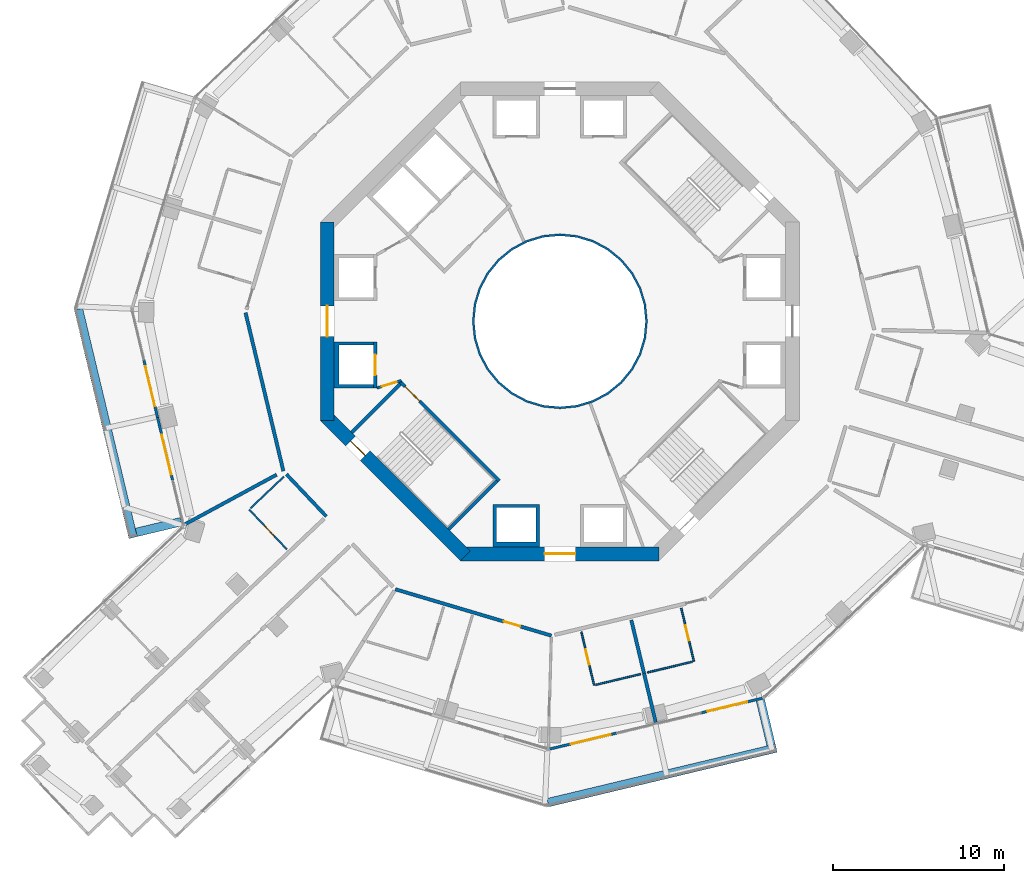
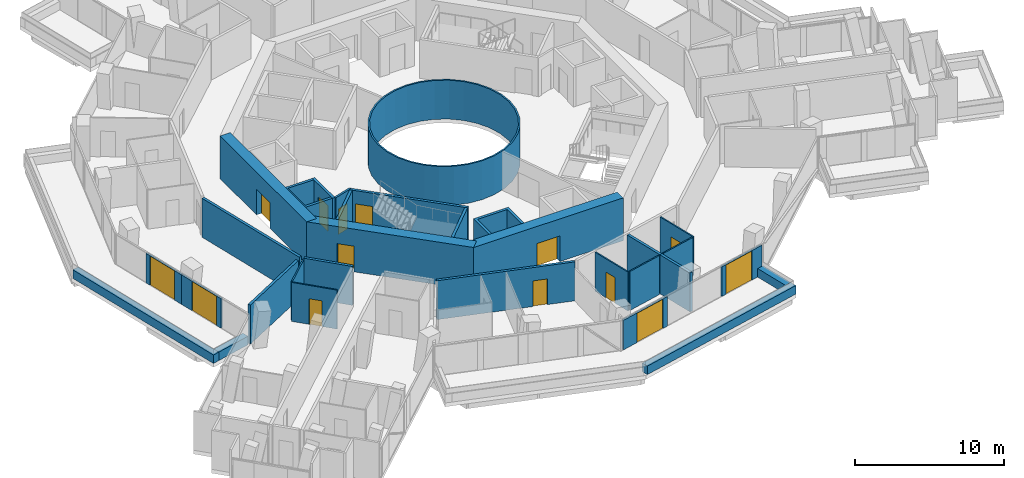
# One storey, part 19 of 27: 31 walls, 14 doors, 14 openings.
"""IFC4 building model written with IfcOpenShell, lengths in metres."""

from ifc_helpers import new_model, si_unit, direction, frame, frame_2d, origin, place, context, subcontext, project, spatial, polyline, rectangle, outline, extrude, material, layer, layer_set, type_object, element, fill, save


model = new_model("IFC4")

# Units and contexts
model_context = context("Model", 3, precision=1e-05, world=origin(), true_north=direction((0.0, 1.0)))
body_context = subcontext(model_context, "Body", "Model", "MODEL_VIEW")
ifc_project = project(units=[si_unit("LENGTHUNIT", "METRE"), si_unit("AREAUNIT", "SQUARE_METRE"), si_unit("VOLUMEUNIT", "CUBIC_METRE"), si_unit("PLANEANGLEUNIT", "RADIAN"), si_unit("MASSUNIT", "GRAM", prefix="KILO")], contexts=[model_context])

# Site, building, storey
site_placement = place(None, origin())
site = spatial("IfcSite", under=ifc_project, at=site_placement, CompositionType="ELEMENT")
building_placement = place(site_placement, origin())
building = spatial("IfcBuilding", under=site, at=building_placement, Name="Verdalira Terraces Hotel", CompositionType="ELEMENT")
storey_placement = place(building_placement, frame((0.0, 0.0, 89.5)))
storey = spatial("IfcBuildingStorey", under=building, at=storey_placement, Name="L20", CompositionType="ELEMENT", Elevation=89.5)

# Walls
ifc_material_1 = material(Name="Fire-resisting glass EI 180", Category="glass")
ifc_layer_1 = layer(ifc_material_1, 0.1201171875)
ifc_layer_set_1 = layer_set([ifc_layer_1], Name="Atrium fire screen 120 mm")
wall_type_1 = type_object("IfcWallType", Name="Atrium fire screen 120 mm", PredefinedType="SOLIDWALL", material=ifc_layer_set_1)
wall_1_placement = place(storey_placement, origin())
element("IfcWall", 1, at=wall_1_placement, inside=storey, type_object=wall_type_1, Name="Atrium fire screen", PredefinedType="SOLIDWALL", context=body_context, shape_type="SweptSolid", body=[
    extrude(outline(polyline([(5.021484, -0.998779), (4.730225, -1.959229), (4.25708, -2.844482), (3.620361, -3.620361), (2.844482, -4.25708), (1.959229, -4.730225), (0.998779, -5.021484), (0.0, -5.120117), (-0.998779, -5.021484), (-1.959229, -4.730225), (-2.844482, -4.25708), (-3.620361, -3.620361), (-4.25708, -2.844482), (-4.730225, -1.959229), (-5.021484, -0.998779), (-5.120117, 0.0), (-5.021484, 0.998779), (-4.730225, 1.959229), (-4.25708, 2.844482), (-3.620361, 3.620361), (-2.844482, 4.25708), (-1.959229, 4.730225), (-0.998779, 5.021484), (0.0, 5.120117), (0.998779, 5.021484), (1.959229, 4.730225), (2.844482, 4.25708), (3.620361, 3.620361), (4.25708, 2.844482), (4.730225, 1.959229), (5.021484, 0.998779), (5.120117, 0.0), (5.021484, -0.998779)]), holes=[polyline([(4.903809, 0.975586), (4.619385, 1.91333), (4.157227, 2.777832), (3.5354, 3.5354), (2.777832, 4.157227), (1.91333, 4.619385), (0.975586, 4.903809), (0.0, 5.0), (-0.975586, 4.903809), (-1.91333, 4.619385), (-2.777832, 4.157227), (-3.5354, 3.5354), (-4.157227, 2.777832), (-4.619385, 1.91333), (-4.903809, 0.975586), (-5.0, 0.0), (-4.903809, -0.975586), (-4.619385, -1.91333), (-4.157227, -2.777832), (-3.5354, -3.5354), (-2.777832, -4.157227), (-1.91333, -4.619385), (-0.975586, -4.903809), (0.0, -5.0), (0.975586, -4.903809), (1.91333, -4.619385), (2.777832, -4.157227), (3.5354, -3.5354), (4.157227, -2.777832), (4.619385, -1.91333), (4.903809, -0.975586), (5.0, 0.0), (4.903809, 0.975586)])]), origin(), (0.0, 0.0, 1.0), 3.189941),
])
ifc_material_2 = material(Name="Concrete C40", Category="concrete")
ifc_layer_2 = layer(ifc_material_2, 0.5)
ifc_layer_set_2 = layer_set([ifc_layer_2], Name="Balcony planter trough with tree")
wall_type_2 = type_object("IfcWallType", Name="Balcony planter trough with tree", PredefinedType="SOLIDWALL", material=ifc_layer_set_2)
wall_2_placement = place(storey_placement, frame((-28.14209, 0.70166, 0.0), z_axis=(0.0, 0.0, 1.0), x_axis=(0.232426151, -0.972614047, 0.0)))
element("IfcWall", 2, at=wall_2_placement, inside=storey, type_object=wall_type_2, Name="Balcony planter", PredefinedType="SOLIDWALL", context=body_context, shape_type="SweptSolid", body=[
    extrude(rectangle(XDim=13.723389, YDim=0.5, at=frame_2d((6.861816, 0.0))), origin(), (0.0, 0.0, 1.0), 0.699951),
])
wall_3_placement = place(storey_placement, frame((-24.767334, -12.344727, 0.0), z_axis=(0.0, 0.0, 1.0), x_axis=(0.972602017, 0.232476487, 0.0)))
element("IfcWall", 3, at=wall_3_placement, inside=storey, type_object=wall_type_2, Name="Balcony planter", PredefinedType="SOLIDWALL", context=body_context, shape_type="SweptSolid", body=[
    extrude(rectangle(XDim=2.698975, YDim=0.5, at=frame_2d((1.349609, 0.0))), origin(), (0.0, 0.0, 1.0), 0.699951),
])
wall_4_placement = place(storey_placement, frame((-0.70166, -28.14209, 0.0), z_axis=(0.0, 0.0, 1.0), x_axis=(0.972614047, 0.232426151, 0.0)))
element("IfcWall", 4, at=wall_4_placement, inside=storey, type_object=wall_type_2, Name="Balcony planter", PredefinedType="SOLIDWALL", context=body_context, shape_type="SweptSolid", body=[
    extrude(rectangle(XDim=13.723389, YDim=0.5, at=frame_2d((6.861816, 0.0))), origin(), (0.0, 0.0, 1.0), 0.699951),
])
wall_5_placement = place(storey_placement, frame((12.344727, -24.767334, 0.0), z_axis=(0.0, 0.0, 1.0), x_axis=(-0.232476487, 0.972602017, 0.0)))
element("IfcWall", 5, at=wall_5_placement, inside=storey, type_object=wall_type_2, Name="Balcony planter", PredefinedType="SOLIDWALL", context=body_context, shape_type="SweptSolid", body=[
    extrude(rectangle(XDim=2.698975, YDim=0.5, at=frame_2d((1.349609, 0.0))), origin(), (0.0, 0.0, 1.0), 0.699951),
])
ifc_material_3 = material(Name="Moisture-resistant gypsum board partition")
ifc_layer_3 = layer(ifc_material_3, 0.10009765625)
ifc_layer_set_3 = layer_set([ifc_layer_3], Name="Bathroom partition 100 mm")
wall_type_3 = type_object("IfcWallType", Name="Bathroom partition 100 mm", PredefinedType="PARTITIONING", material=ifc_layer_set_3)
wall_6_placement = place(storey_placement, frame((-16.133545, -9.080566, 0.0), z_axis=(0.0, 0.0, 1.0), x_axis=(-0.726104737, -0.687584112, 0.0)))
element("IfcWall", 6, at=wall_6_placement, inside=storey, type_object=wall_type_3, Name="Bathroom partition", PredefinedType="PARTITIONING", context=body_context, shape_type="SweptSolid", body=[
    extrude(rectangle(XDim=2.699951, YDim=0.100098, at=frame_2d((1.350098, 0.0))), origin(), (0.0, 0.0, 1.0), 3.189941),
])

# Wall, opening, door
wall_7_placement = place(storey_placement, frame((-18.166748, -11.005859, 0.0), z_axis=(0.0, 0.0, 1.0), x_axis=(0.687619786, -0.726070954, 0.0)))
wall_7 = element("IfcWall", 7, at=wall_7_placement, inside=storey, type_object=wall_type_3, Name="Bathroom partition", PredefinedType="PARTITIONING", context=body_context, shape_type="SweptSolid", body=[
    extrude(rectangle(XDim=3.200195, YDim=0.100098, at=frame_2d((1.600098, 0.0))), origin(), (0.0, 0.0, 1.0), 3.189941),
])
opening_1_placement = place(wall_7_placement, frame((1.25, 0.0, 0.0)))
opening_1 = element("IfcOpeningElement", 8, at=opening_1_placement, cuts=wall_7, Name="Opening L20-115", PredefinedType="OPENING", context=body_context, shape_type="SweptSolid", body=[
    extrude(rectangle(XDim=0.899902, YDim=2.100098, at=frame_2d((0.449951, 1.050049))), frame((0.0, 0.060059, 0.0), z_axis=(0.0, -1.0, 0.0), x_axis=(1.0, 0.0, 0.0)), (0.0, 0.0, 1.0), 0.120117),
])
ifc_material_4 = material(Name="Timber door", Category="wood")
door_type_1 = type_object("IfcDoorType", Name="Bathroom door 900 x 2100", OperationType="NOTDEFINED", PredefinedType="DOOR", material=ifc_material_4)
door_1_placement = place(opening_1_placement, origin())
door_1 = element("IfcDoor", 9, at=door_1_placement, inside=storey, type_object=door_type_1, Name="Bathroom door 2005", OperationType="SINGLE_SWING_LEFT", OverallHeight=2.10009765625, OverallWidth=0.89990234375, PredefinedType="DOOR", context=body_context, shape_type="SweptSolid", body=[
    extrude(rectangle(XDim=0.899902, YDim=2.100098, at=frame_2d((0.449951, 1.050049))), frame((0.0, 0.024902, 0.0), z_axis=(0.0, -1.0, 0.0), x_axis=(1.0, 0.0, 0.0)), (0.0, 0.0, 1.0), 0.050049),
])
fill(opening_1, door_1)

wall_8_placement = place(storey_placement, frame((1.256104, -18.163818, 0.0), z_axis=(0.0, 0.0, 1.0), x_axis=(0.232469667, -0.972603647, 0.0)))
wall_8 = element("IfcWall", 10, at=wall_8_placement, inside=storey, type_object=wall_type_3, Name="Bathroom partition", PredefinedType="PARTITIONING", context=body_context, shape_type="SweptSolid", body=[
    extrude(rectangle(XDim=3.199951, YDim=0.100098, at=frame_2d((1.600098, 0.0))), origin(), (0.0, 0.0, 1.0), 3.189941),
])
opening_2_placement = place(wall_8_placement, frame((1.050049, 0.0, 0.0)))
opening_2 = element("IfcOpeningElement", 11, at=opening_2_placement, cuts=wall_8, Name="Opening L20-125", PredefinedType="OPENING", context=body_context, shape_type="SweptSolid", body=[
    extrude(rectangle(XDim=0.899902, YDim=2.100098, at=frame_2d((0.449951, 1.050049))), frame((0.0, 0.060059, 0.0), z_axis=(0.0, -1.0, 0.0), x_axis=(1.0, 0.0, 0.0)), (0.0, 0.0, 1.0), 0.120117),
])
door_2_placement = place(opening_2_placement, origin())
door_2 = element("IfcDoor", 12, at=door_2_placement, inside=storey, type_object=door_type_1, Name="Bathroom door 2008", OperationType="SINGLE_SWING_RIGHT", OverallHeight=2.10009765625, OverallWidth=0.89990234375, PredefinedType="DOOR", context=body_context, shape_type="SweptSolid", body=[
    extrude(rectangle(XDim=0.899902, YDim=2.100098, at=frame_2d((0.449951, 1.050049))), frame((0.0, 0.024902, 0.0), z_axis=(0.0, -1.0, 0.0), x_axis=(1.0, 0.0, 0.0)), (0.0, 0.0, 1.0), 0.050049),
])
fill(opening_2, door_2)

# Walls
for number, where, z_axis, x_axis, name in (
    (13, (2.097168, -21.25293, 0.0), (0.0, 0.0, 1.0), (0.972621562, 0.232394702, 0.0), "Bathroom partition"),
    (14, (7.738281, -19.904785, 0.0), (0.0, 0.0, 1.0), (-0.972601119, -0.232480242, 0.0), "Bathroom partition"),
):
    element("IfcWall", number, at=place(storey_placement, frame(where, z_axis=z_axis, x_axis=x_axis)), inside=storey, type_object=wall_type_3, Name=name, PredefinedType="PARTITIONING", context=body_context, shape_type="SweptSolid", body=[
        extrude(rectangle(XDim=2.699951, YDim=0.100098, at=frame_2d((1.350098, 0.0))), origin(), (0.0, 0.0, 1.0), 3.189941),
    ])

# Wall, opening, door
wall_9_placement = place(storey_placement, frame((7.835693, -19.881592, 0.0), z_axis=(0.0, 0.0, 1.0), x_axis=(-0.232469667, 0.972603647, 0.0)))
wall_9 = element("IfcWall", 15, at=wall_9_placement, inside=storey, type_object=wall_type_3, Name="Bathroom partition", PredefinedType="PARTITIONING", context=body_context, shape_type="SweptSolid", body=[
    extrude(rectangle(XDim=3.199951, YDim=0.100098, at=frame_2d((1.600098, 0.0))), origin(), (0.0, 0.0, 1.0), 3.189941),
])
opening_3_placement = place(wall_9_placement, frame((1.25, 0.0, 0.0)))
opening_3 = element("IfcOpeningElement", 16, at=opening_3_placement, cuts=wall_9, Name="Opening L20-127", PredefinedType="OPENING", context=body_context, shape_type="SweptSolid", body=[
    extrude(rectangle(XDim=0.899902, YDim=2.100098, at=frame_2d((0.449951, 1.050049))), frame((0.0, 0.060059, 0.0), z_axis=(0.0, -1.0, 0.0), x_axis=(1.0, 0.0, 0.0)), (0.0, 0.0, 1.0), 0.120117),
])
door_3_placement = place(opening_3_placement, origin())
door_3 = element("IfcDoor", 17, at=door_3_placement, inside=storey, type_object=door_type_1, Name="Bathroom door 2009", OperationType="SINGLE_SWING_LEFT", OverallHeight=2.10009765625, OverallWidth=0.89990234375, PredefinedType="DOOR", context=body_context, shape_type="SweptSolid", body=[
    extrude(rectangle(XDim=0.899902, YDim=2.100098, at=frame_2d((0.449951, 1.050049))), frame((0.0, 0.024902, 0.0), z_axis=(0.0, -1.0, 0.0), x_axis=(1.0, 0.0, 0.0)), (0.0, 0.0, 1.0), 0.050049),
])
fill(opening_3, door_3)

# Wall
ifc_material_5 = material(Name="Concrete C50", Category="concrete")
ifc_layer_4 = layer(ifc_material_5, 0.199951171875)
ifc_layer_set_4 = layer_set([ifc_layer_4], Name="Core RC wall 200 C50")
wall_type_4 = type_object("IfcWallType", Name="Core RC wall 200 C50", PredefinedType="SOLIDWALL", material=ifc_layer_set_4)
wall_10_placement = place(storey_placement, origin())
element("IfcWall", 18, at=wall_10_placement, inside=storey, type_object=wall_type_4, Name="L20 shaft wall W2", PredefinedType="SOLIDWALL", context=body_context, shape_type="SweptSolid", body=[
    extrude(outline(polyline([(-13.199951, -3.899902), (-13.199951, -1.199951), (-10.899902, -1.199951), (-10.899902, -1.399902), (-12.899902, -1.399902), (-12.899902, -3.699951), (-10.899902, -3.699951), (-10.899902, -3.899902), (-13.199951, -3.899902)])), origin(), (0.0, 0.0, 1.0), 3.189941),
])

# Wall, opening, door
wall_11_placement = place(storey_placement, frame((-10.800049, -1.199951, 0.0), z_axis=(0.0, 0.0, 1.0), x_axis=(0.0, -1.0, 0.0)))
wall_11 = element("IfcWall", 19, at=wall_11_placement, inside=storey, type_object=wall_type_4, Name="L20 shaft front wall W2", PredefinedType="SOLIDWALL", context=body_context, shape_type="SweptSolid", body=[
    extrude(rectangle(XDim=2.699951, YDim=0.199951, at=frame_2d((1.350098, 0.0))), origin(), (0.0, 0.0, 1.0), 3.189941),
])
opening_4_placement = place(wall_11_placement, frame((0.75, 0.0, 0.0)))
opening_4 = element("IfcOpeningElement", 20, at=opening_4_placement, cuts=wall_11, Name="Opening LD-L20-806", PredefinedType="OPENING", context=body_context, shape_type="SweptSolid", body=[
    extrude(rectangle(XDim=1.199951, YDim=2.100098, at=frame_2d((0.600098, 1.050049))), frame((0.0, 0.109863, 0.0), z_axis=(0.0, -1.0, 0.0), x_axis=(1.0, 0.0, 0.0)), (0.0, 0.0, 1.0), 0.219971),
])
ifc_material_6 = material(Name="Stainless steel", Category="steel")
door_type_2 = type_object("IfcDoorType", Name="Landing door 1200 x 2100", OperationType="NOTDEFINED", PredefinedType="DOOR", material=ifc_material_6)
door_4_placement = place(opening_4_placement, origin())
door_4 = element("IfcDoor", 21, at=door_4_placement, inside=storey, type_object=door_type_2, Name="Lift landing door LR6 L20", OperationType="DOUBLE_DOOR_SLIDING", OverallHeight=2.10009765625, OverallWidth=1.199951171875, PredefinedType="DOOR", context=body_context, shape_type="SweptSolid", body=[
    extrude(rectangle(XDim=1.199951, YDim=2.100098, at=frame_2d((0.600098, 1.050049))), frame((0.0, 0.024902, 0.0), z_axis=(0.0, -1.0, 0.0), x_axis=(1.0, 0.0, 0.0)), (0.0, 0.0, 1.0), 0.050049),
])
fill(opening_4, door_4)

# Wall
wall_12_placement = place(storey_placement, origin())
element("IfcWall", 22, at=wall_12_placement, inside=storey, type_object=wall_type_4, Name="L20 shaft wall S1", PredefinedType="SOLIDWALL", context=body_context, shape_type="SweptSolid", body=[
    extrude(outline(polyline([(-1.199951, -13.199951), (-3.899902, -13.199951), (-3.899902, -10.699951), (-1.199951, -10.699951), (-1.199951, -13.199951)]), holes=[polyline([(-3.699951, -10.899902), (-3.699951, -12.899902), (-1.399902, -12.899902), (-1.399902, -10.899902), (-3.699951, -10.899902)])]), origin(), (0.0, 0.0, 1.0), 3.189941),
])

# Wall, opening, door
wall_13_placement = place(storey_placement, frame((-3.5354, -9.33374, 0.0), z_axis=(0.0, 0.0, 1.0), x_axis=(-0.707106781, 0.707106781, 0.0)))
wall_13 = element("IfcWall", 23, at=wall_13_placement, inside=storey, type_object=wall_type_4, Name="L20 stair ST2 front wall", PredefinedType="SOLIDWALL", context=body_context, shape_type="SweptSolid", body=[
    extrude(rectangle(XDim=8.200195, YDim=0.199951, at=frame_2d((4.100098, 0.0))), origin(), (0.0, 0.0, 1.0), 3.189941),
])
opening_5_placement = place(wall_13_placement, frame((6.600098, 0.0, 0.0)))
opening_5 = element("IfcOpeningElement", 24, at=opening_5_placement, cuts=wall_13, Name="Opening L20-810", PredefinedType="OPENING", context=body_context, shape_type="SweptSolid", body=[
    extrude(rectangle(XDim=1.199951, YDim=2.100098, at=frame_2d((0.600098, 1.050049))), frame((0.0, 0.109863, 0.0), z_axis=(0.0, -1.0, 0.0), x_axis=(1.0, 0.0, 0.0)), (0.0, 0.0, 1.0), 0.219971),
])
ifc_material_7 = material(Name="Steel fire door", Category="steel")
door_type_3 = type_object("IfcDoorType", Name="Stair door 1200 x 2100", OperationType="NOTDEFINED", PredefinedType="DOOR", material=ifc_material_7)
door_5_placement = place(opening_5_placement, origin())
door_5 = element("IfcDoor", 25, at=door_5_placement, inside=storey, type_object=door_type_3, Name="Stair door ST2 L20", OperationType="SINGLE_SWING_RIGHT", OverallHeight=2.10009765625, OverallWidth=1.199951171875, PredefinedType="DOOR", context=body_context, shape_type="SweptSolid", body=[
    extrude(rectangle(XDim=1.199951, YDim=2.100098, at=frame_2d((0.600098, 1.050049))), frame((0.0, 0.024902, 0.0), z_axis=(0.0, -1.0, 0.0), x_axis=(1.0, 0.0, 0.0)), (0.0, 0.0, 1.0), 0.050049),
])
fill(opening_5, door_5)

# Walls
for number, where, z_axis, x_axis, name in (
    (26, (-9.33374, -3.677002, 0.0), (0.0, 0.0, 1.0), (-0.707106781, -0.707106781, 0.0), "L20 stair ST2 end wall 1"),
    (27, (-3.677002, -9.33374, 0.0), (0.0, 0.0, 1.0), (-0.707106781, -0.707106781, 0.0), "L20 stair ST2 end wall 2"),
):
    element("IfcWall", number, at=place(storey_placement, frame(where, z_axis=z_axis, x_axis=x_axis)), inside=storey, type_object=wall_type_4, Name=name, PredefinedType="SOLIDWALL", context=body_context, shape_type="SweptSolid", body=[
        extrude(rectangle(XDim=4.0, YDim=0.199951, at=frame_2d((2.0, 0.0))), origin(), (0.0, 0.0, 1.0), 3.189941),
    ])

# Wall, opening, door
ifc_material_8 = material(Name="Gypsum board partition")
ifc_layer_5 = layer(ifc_material_8, 0.14990234375)
ifc_layer_set_5 = layer_set([ifc_layer_5], Name="Core partition 150 mm")
wall_type_5 = type_object("IfcWallType", Name="Core partition 150 mm", PredefinedType="PARTITIONING", material=ifc_layer_set_5)
wall_14_placement = place(storey_placement, frame((-10.699951, -3.899902, 0.0), z_axis=(0.0, 0.0, 1.0), x_axis=(0.957084567, 0.289808785, 0.0)))
wall_14 = element("IfcWall", 28, at=wall_14_placement, inside=storey, type_object=wall_type_5, Name="Room partition L20", PredefinedType="PARTITIONING", context=body_context, shape_type="SweptSolid", body=[
    extrude(rectangle(XDim=1.501221, YDim=0.149902, at=frame_2d((0.750488, 0.0))), origin(), (0.0, 0.0, 1.0), 3.189941),
])
opening_6_placement = place(wall_14_placement, frame((0.300781, 0.0, 0.0)))
opening_6 = element("IfcOpeningElement", 29, at=opening_6_placement, cuts=wall_14, Name="Opening L20-822", PredefinedType="OPENING", context=body_context, shape_type="SweptSolid", body=[
    extrude(rectangle(XDim=0.899902, YDim=2.100098, at=frame_2d((0.449951, 1.050049))), frame((0.0, 0.084961, 0.0), z_axis=(0.0, -1.0, 0.0), x_axis=(1.0, 0.0, 0.0)), (0.0, 0.0, 1.0), 0.169922),
])
ifc_material_9 = material(Name="Steel fire door", Category="steel")
door_type_4 = type_object("IfcDoorType", Name="Core room door 900 x 2100", OperationType="NOTDEFINED", PredefinedType="DOOR", material=ifc_material_9)
door_6_placement = place(opening_6_placement, origin())
door_6 = element("IfcDoor", 30, at=door_6_placement, inside=storey, type_object=door_type_4, Name="Door L20 room4", OperationType="SINGLE_SWING_LEFT", OverallHeight=2.10009765625, OverallWidth=0.89990234375, PredefinedType="DOOR", context=body_context, shape_type="SweptSolid", body=[
    extrude(rectangle(XDim=0.899902, YDim=2.100098, at=frame_2d((0.449951, 1.050049))), frame((0.0, 0.024902, 0.0), z_axis=(0.0, -1.0, 0.0), x_axis=(1.0, 0.0, 0.0)), (0.0, 0.0, 1.0), 0.050049),
])
fill(opening_6, door_6)

ifc_material_10 = material(Name="Concrete C70", Category="concrete")
ifc_layer_6 = layer(ifc_material_10, 0.800048828125)
ifc_layer_set_6 = layer_set([ifc_layer_6], Name="Core wall 800 C70")
wall_type_6 = type_object("IfcWallType", Name="Core wall 800 C70", PredefinedType="SHEAR", material=ifc_layer_set_6)
wall_15_placement = place(storey_placement, frame((-13.600098, 5.799072, 0.0), z_axis=(0.0, 0.0, 1.0), x_axis=(0.0, -1.0, 0.0)))
wall_15 = element("IfcWall", 31, at=wall_15_placement, inside=storey, type_object=wall_type_6, Name="Core wall CW-L20-5", PredefinedType="SHEAR", context=body_context, shape_type="SweptSolid", body=[
    extrude(rectangle(XDim=11.598145, YDim=0.800049, at=frame_2d((5.799072, 0.0))), origin(), (0.0, 0.0, 1.0), 3.5),
])
opening_7_placement = place(wall_15_placement, frame((4.898926, 0.0, 0.0)))
opening_7 = element("IfcOpeningElement", 32, at=opening_7_placement, cuts=wall_15, Name="Opening L20-814", PredefinedType="OPENING", context=body_context, shape_type="SweptSolid", body=[
    extrude(rectangle(XDim=1.800049, YDim=2.100098, at=frame_2d((0.899902, 1.050049))), frame((0.0, 0.409912, 0.0), z_axis=(0.0, -1.0, 0.0), x_axis=(1.0, 0.0, 0.0)), (0.0, 0.0, 1.0), 0.820068),
])
ifc_material_11 = material(Name="Steel fire door", Category="steel")
door_type_5 = type_object("IfcDoorType", Name="Core entry door pair 1800 x 2100", OperationType="NOTDEFINED", PredefinedType="DOOR", material=ifc_material_11)
door_7_placement = place(opening_7_placement, origin())
door_7 = element("IfcDoor", 33, at=door_7_placement, inside=storey, type_object=door_type_5, Name="Core entry door L20 4", OperationType="DOUBLE_DOOR_SINGLE_SWING", OverallHeight=2.10009765625, OverallWidth=1.800048828125, PredefinedType="DOOR", context=body_context, shape_type="SweptSolid", body=[
    extrude(rectangle(XDim=1.800049, YDim=2.100098, at=frame_2d((0.899902, 1.050049))), frame((0.0, 0.024902, 0.0), z_axis=(0.0, -1.0, 0.0), x_axis=(1.0, 0.0, 0.0)), (0.0, 0.0, 1.0), 0.050049),
])
fill(opening_7, door_7)

wall_16_placement = place(storey_placement, frame((-13.717285, -5.516113, 0.0), z_axis=(0.0, 0.0, 1.0), x_axis=(0.707106781, -0.707106781, 0.0)))
wall_16 = element("IfcWall", 34, at=wall_16_placement, inside=storey, type_object=wall_type_6, Name="Core wall CW-L20-6", PredefinedType="SHEAR", context=body_context, shape_type="SweptSolid", body=[
    extrude(rectangle(XDim=11.598145, YDim=0.800049, at=frame_2d((5.799072, 0.0))), origin(), (0.0, 0.0, 1.0), 3.5),
])
opening_8_placement = place(wall_16_placement, frame((2.099121, 0.0, 0.0)))
opening_8 = element("IfcOpeningElement", 35, at=opening_8_placement, cuts=wall_16, Name="Opening L20-817", PredefinedType="OPENING", context=body_context, shape_type="SweptSolid", body=[
    extrude(rectangle(XDim=1.199951, YDim=2.100098, at=frame_2d((0.600098, 1.050049))), frame((0.0, 0.409912, 0.0), z_axis=(0.0, -1.0, 0.0), x_axis=(1.0, 0.0, 0.0)), (0.0, 0.0, 1.0), 0.820068),
])
door_8_placement = place(opening_8_placement, origin())
door_8 = element("IfcDoor", 36, at=door_8_placement, inside=storey, type_object=door_type_3, Name="Stair exit door ST2 L20", OperationType="SINGLE_SWING_LEFT", OverallHeight=2.10009765625, OverallWidth=1.199951171875, PredefinedType="DOOR", context=body_context, shape_type="SweptSolid", body=[
    extrude(rectangle(XDim=1.199951, YDim=2.100098, at=frame_2d((0.600098, 1.050049))), frame((0.0, 0.024902, 0.0), z_axis=(0.0, -1.0, 0.0), x_axis=(1.0, 0.0, 0.0)), (0.0, 0.0, 1.0), 0.050049),
])
fill(opening_8, door_8)

wall_17_placement = place(storey_placement, frame((-5.799072, -13.600098, 0.0), z_axis=(0.0, 0.0, 1.0), x_axis=(1.0, 0.0, 0.0)))
wall_17 = element("IfcWall", 37, at=wall_17_placement, inside=storey, type_object=wall_type_6, Name="Core wall CW-L20-7", PredefinedType="SHEAR", context=body_context, shape_type="SweptSolid", body=[
    extrude(rectangle(XDim=11.598145, YDim=0.800049, at=frame_2d((5.799072, 0.0))), origin(), (0.0, 0.0, 1.0), 3.5),
])
opening_9_placement = place(wall_17_placement, frame((4.898926, 0.0, 0.0)))
opening_9 = element("IfcOpeningElement", 38, at=opening_9_placement, cuts=wall_17, Name="Opening L20-815", PredefinedType="OPENING", context=body_context, shape_type="SweptSolid", body=[
    extrude(rectangle(XDim=1.800049, YDim=2.100098, at=frame_2d((0.899902, 1.050049))), frame((0.0, 0.409912, 0.0), z_axis=(0.0, -1.0, 0.0), x_axis=(1.0, 0.0, 0.0)), (0.0, 0.0, 1.0), 0.820068),
])
door_9_placement = place(opening_9_placement, origin())
door_9 = element("IfcDoor", 39, at=door_9_placement, inside=storey, type_object=door_type_5, Name="Core entry door L20 6", OperationType="DOUBLE_DOOR_SINGLE_SWING", OverallHeight=2.10009765625, OverallWidth=1.800048828125, PredefinedType="DOOR", context=body_context, shape_type="SweptSolid", body=[
    extrude(rectangle(XDim=1.800049, YDim=2.100098, at=frame_2d((0.899902, 1.050049))), frame((0.0, 0.024902, 0.0), z_axis=(0.0, -1.0, 0.0), x_axis=(1.0, 0.0, 0.0)), (0.0, 0.0, 1.0), 0.050049),
])
fill(opening_9, door_9)

# Walls
ifc_material_12 = material(Name="Fire-rated gypsum board wall")
ifc_layer_7 = layer(ifc_material_12, 0.199951171875)
ifc_layer_set_7 = layer_set([ifc_layer_7], Name="Demising wall 200 mm")
wall_type_7 = type_object("IfcWallType", Name="Demising wall 200 mm", PredefinedType="SOLIDWALL", material=ifc_layer_set_7)
wall_18_placement = place(storey_placement, frame((-16.559326, -8.968506, 0.0), z_axis=(0.0, 0.0, 1.0), x_axis=(-0.879312807, -0.476244671, 0.0)))
element("IfcWall", 40, at=wall_18_placement, inside=storey, type_object=wall_type_7, Name="Demising wall", PredefinedType="SOLIDWALL", context=body_context, shape_type="SweptSolid", body=[
    extrude(rectangle(XDim=6.13208, YDim=0.199951, at=frame_2d((3.065918, 0.0))), origin(), (0.0, 0.0, 1.0), 3.189941),
])
wall_19_placement = place(storey_placement, frame((4.174072, -17.466553, 0.0), z_axis=(0.0, 0.0, 1.0), x_axis=(0.232397493, -0.972620895, 0.0)))
element("IfcWall", 41, at=wall_19_placement, inside=storey, type_object=wall_type_7, Name="Demising wall", PredefinedType="SOLIDWALL", context=body_context, shape_type="SweptSolid", body=[
    extrude(rectangle(XDim=3.199951, YDim=0.199951, at=frame_2d((1.600098, 0.0))), origin(), (0.0, 0.0, 1.0), 3.189941),
])
wall_20_placement = place(storey_placement, frame((4.917725, -20.578857, 0.0), z_axis=(0.0, 0.0, 1.0), x_axis=(0.232474506, -0.97260249, 0.0)))
element("IfcWall", 42, at=wall_20_placement, inside=storey, type_object=wall_type_7, Name="Demising wall", PredefinedType="SOLIDWALL", context=body_context, shape_type="SweptSolid", body=[
    extrude(rectangle(XDim=2.949951, YDim=0.199951, at=frame_2d((1.475098, 0.0))), origin(), (0.0, 0.0, 1.0), 3.189941),
])
ifc_material_13 = material(Name="Fire-rated gypsum board wall")
ifc_layer_8 = layer(ifc_material_13, 0.199951171875)
ifc_layer_set_8 = layer_set([ifc_layer_8], Name="Guest corridor wall 200 mm")
wall_type_8 = type_object("IfcWallType", Name="Guest corridor wall 200 mm", PredefinedType="SOLIDWALL", material=ifc_layer_set_8)
wall_21_placement = place(storey_placement, frame((-18.377686, 0.5, 0.0), z_axis=(0.0, 0.0, 1.0), x_axis=(0.23241125, -0.972617608, 0.0)))
element("IfcWall", 43, at=wall_21_placement, inside=storey, type_object=wall_type_8, Name="Guest corridor wall", PredefinedType="SOLIDWALL", context=body_context, shape_type="SweptSolid", body=[
    extrude(rectangle(XDim=9.516113, YDim=0.199951, at=frame_2d((4.758057, 0.0))), origin(), (0.0, 0.0, 1.0), 3.189941),
])
wall_22_placement = place(storey_placement, frame((-15.988281, -8.943115, 0.0), z_axis=(0.0, 0.0, 1.0), x_axis=(0.687563376, -0.726124372, 0.0)))
element("IfcWall", 44, at=wall_22_placement, inside=storey, type_object=wall_type_8, Name="Guest corridor wall", PredefinedType="SOLIDWALL", context=body_context, shape_type="SweptSolid", body=[
    extrude(rectangle(XDim=3.399902, YDim=0.199951, at=frame_2d((1.699951, 0.0))), origin(), (0.0, 0.0, 1.0), 3.189941),
])

# Wall, opening, door
wall_23_placement = place(storey_placement, frame((-0.500488, -18.37793, 0.0), z_axis=(0.0, 0.0, 1.0), x_axis=(-0.958521772, 0.285019321, 0.0)))
wall_23 = element("IfcWall", 45, at=wall_23_placement, inside=storey, type_object=wall_type_8, Name="Guest corridor wall", PredefinedType="SOLIDWALL", context=body_context, shape_type="SweptSolid", body=[
    extrude(rectangle(XDim=9.516602, YDim=0.199951, at=frame_2d((4.758301, 0.0))), origin(), (0.0, 0.0, 1.0), 3.189941),
])
opening_10_placement = place(wall_23_placement, frame((1.899902, 0.0, 0.0)))
opening_10 = element("IfcOpeningElement", 46, at=opening_10_placement, cuts=wall_23, Name="Opening L20-121", PredefinedType="OPENING", context=body_context, shape_type="SweptSolid", body=[
    extrude(rectangle(XDim=1.0, YDim=2.100098, at=frame_2d((0.5, 1.050049))), frame((0.0, 0.109863, 0.0), z_axis=(0.0, -1.0, 0.0), x_axis=(1.0, 0.0, 0.0)), (0.0, 0.0, 1.0), 0.219971),
])
ifc_material_14 = material(Name="Timber fire door", Category="wood")
door_type_6 = type_object("IfcDoorType", Name="Guest entry door 1000 x 2100", OperationType="NOTDEFINED", PredefinedType="DOOR", material=ifc_material_14)
door_10_placement = place(opening_10_placement, origin())
door_10 = element("IfcDoor", 47, at=door_10_placement, inside=storey, type_object=door_type_6, Name="Guest entry door 2008", OperationType="SINGLE_SWING_LEFT", OverallHeight=2.10009765625, OverallWidth=1.0, PredefinedType="DOOR", context=body_context, shape_type="SweptSolid", body=[
    extrude(rectangle(XDim=1.0, YDim=2.100098, at=frame_2d((0.5, 1.050049))), frame((0.0, 0.024902, 0.0), z_axis=(0.0, -1.0, 0.0), x_axis=(1.0, 0.0, 0.0)), (0.0, 0.0, 1.0), 0.050049),
])
fill(opening_10, door_10)

ifc_material_15 = material(Name="Terracotta cladding", Category="masonry")
ifc_layer_9 = layer(ifc_material_15, 0.14990234375)
ifc_layer_set_9 = layer_set([ifc_layer_9], Name="Terracotta door pier 150")
wall_type_9 = type_object("IfcWallType", Name="Terracotta door pier 150", PredefinedType="SOLIDWALL", material=ifc_layer_set_9)
wall_24_placement = place(storey_placement, frame((-24.328613, -2.240967, 0.0), z_axis=(0.0, 0.0, 1.0), x_axis=(0.232405626, -0.972618952, 0.0)))
wall_24 = element("IfcWall", 48, at=wall_24_placement, inside=storey, type_object=wall_type_9, Name="Terracotta door pier", PredefinedType="SOLIDWALL", context=body_context, shape_type="SweptSolid", body=[
    extrude(rectangle(XDim=3.475098, YDim=0.149902, at=frame_2d((1.737549, 0.0))), origin(), (0.0, 0.0, 1.0), 2.425049),
])
opening_11_placement = place(wall_24_placement, frame((0.399902, 0.0, 0.0)))
opening_11 = element("IfcOpeningElement", 49, at=opening_11_placement, cuts=wall_24, Name="Opening L20-B06", PredefinedType="OPENING", context=body_context, shape_type="SweptSolid", body=[
    extrude(rectangle(XDim=2.399902, YDim=2.399902, at=frame_2d((1.199951, 1.199951))), frame((0.0, 0.084961, 0.0), z_axis=(0.0, -1.0, 0.0), x_axis=(1.0, 0.0, 0.0)), (0.0, 0.0, 1.0), 0.169922),
])
ifc_material_16 = material(Name="Clear glass", Category="glass")
door_type_7 = type_object("IfcDoorType", Name="Balcony sliding door 2400x2400", OperationType="NOTDEFINED", PredefinedType="DOOR", material=ifc_material_16)
door_11_placement = place(opening_11_placement, origin())
door_11 = element("IfcDoor", 50, at=door_11_placement, inside=storey, type_object=door_type_7, Name="Balcony sliding door", OperationType="SLIDING_TO_RIGHT", OverallHeight=2.39990234375, OverallWidth=2.39990234375, PredefinedType="DOOR", context=body_context, shape_type="SweptSolid", body=[
    extrude(rectangle(XDim=2.399902, YDim=2.399902, at=frame_2d((1.199951, 1.199951))), frame((0.0, 0.024902, 0.0), z_axis=(0.0, -1.0, 0.0), x_axis=(1.0, 0.0, 0.0)), (0.0, 0.0, 1.0), 0.050049),
])
fill(opening_11, door_11)

wall_25_placement = place(storey_placement, frame((-23.520996, -5.62085, 0.0), z_axis=(0.0, 0.0, 1.0), x_axis=(0.232397815, -0.972620818, 0.0)))
wall_25 = element("IfcWall", 51, at=wall_25_placement, inside=storey, type_object=wall_type_9, Name="Terracotta door pier", PredefinedType="SOLIDWALL", context=body_context, shape_type="SweptSolid", body=[
    extrude(rectangle(XDim=3.835449, YDim=0.149902, at=frame_2d((1.917725, 0.0))), origin(), (0.0, 0.0, 1.0), 2.425049),
])
opening_12_placement = place(wall_25_placement, frame((1.0354, 0.0, 0.0)))
opening_12 = element("IfcOpeningElement", 52, at=opening_12_placement, cuts=wall_25, Name="Opening L20-B07", PredefinedType="OPENING", context=body_context, shape_type="SweptSolid", body=[
    extrude(rectangle(XDim=2.399902, YDim=2.399902, at=frame_2d((1.199951, 1.199951))), frame((0.0, 0.084961, 0.0), z_axis=(0.0, -1.0, 0.0), x_axis=(1.0, 0.0, 0.0)), (0.0, 0.0, 1.0), 0.169922),
])
door_12_placement = place(opening_12_placement, origin())
door_12 = element("IfcDoor", 53, at=door_12_placement, inside=storey, type_object=door_type_7, Name="Balcony sliding door", OperationType="SLIDING_TO_LEFT", OverallHeight=2.39990234375, OverallWidth=2.39990234375, PredefinedType="DOOR", context=body_context, shape_type="SweptSolid", body=[
    extrude(rectangle(XDim=2.399902, YDim=2.399902, at=frame_2d((1.199951, 1.199951))), frame((0.0, 0.024902, 0.0), z_axis=(0.0, -1.0, 0.0), x_axis=(1.0, 0.0, 0.0)), (0.0, 0.0, 1.0), 0.050049),
])
fill(opening_12, door_12)

wall_26_placement = place(storey_placement, frame((-0.60376, -25.008545, 0.0), z_axis=(0.0, 0.0, 1.0), x_axis=(0.972610755, 0.232439927, 0.0)))
wall_26 = element("IfcWall", 54, at=wall_26_placement, inside=storey, type_object=wall_type_9, Name="Terracotta door pier", PredefinedType="SOLIDWALL", context=body_context, shape_type="SweptSolid", body=[
    extrude(rectangle(XDim=4.067871, YDim=0.149902, at=frame_2d((2.033936, 0.0))), origin(), (0.0, 0.0, 1.0), 2.425049),
])
opening_13_placement = place(wall_26_placement, frame((1.267822, 0.0, 0.0)))
opening_13 = element("IfcOpeningElement", 55, at=opening_13_placement, cuts=wall_26, Name="Opening L20-B10", PredefinedType="OPENING", context=body_context, shape_type="SweptSolid", body=[
    extrude(rectangle(XDim=2.399902, YDim=2.399902, at=frame_2d((1.199951, 1.199951))), frame((0.0, 0.084961, 0.0), z_axis=(0.0, -1.0, 0.0), x_axis=(1.0, 0.0, 0.0)), (0.0, 0.0, 1.0), 0.169922),
])
door_13_placement = place(opening_13_placement, origin())
door_13 = element("IfcDoor", 56, at=door_13_placement, inside=storey, type_object=door_type_7, Name="Balcony sliding door", OperationType="SLIDING_TO_LEFT", OverallHeight=2.39990234375, OverallWidth=2.39990234375, PredefinedType="DOOR", context=body_context, shape_type="SweptSolid", body=[
    extrude(rectangle(XDim=2.399902, YDim=2.399902, at=frame_2d((1.199951, 1.199951))), frame((0.0, 0.024902, 0.0), z_axis=(0.0, -1.0, 0.0), x_axis=(1.0, 0.0, 0.0)), (0.0, 0.0, 1.0), 0.050049),
])
fill(opening_13, door_13)

wall_27_placement = place(storey_placement, frame((8.236816, -22.895996, 0.0), z_axis=(0.0, 0.0, 1.0), x_axis=(0.972602507, 0.232474437, 0.0)))
wall_27 = element("IfcWall", 57, at=wall_27_placement, inside=storey, type_object=wall_type_9, Name="Terracotta door pier", PredefinedType="SOLIDWALL", context=body_context, shape_type="SweptSolid", body=[
    extrude(rectangle(XDim=3.710205, YDim=0.149902, at=frame_2d((1.85498, 0.0))), origin(), (0.0, 0.0, 1.0), 2.425049),
])
opening_14_placement = place(wall_27_placement, frame((0.399902, 0.0, 0.0)))
opening_14 = element("IfcOpeningElement", 58, at=opening_14_placement, cuts=wall_27, Name="Opening L20-B11", PredefinedType="OPENING", context=body_context, shape_type="SweptSolid", body=[
    extrude(rectangle(XDim=2.399902, YDim=2.399902, at=frame_2d((1.199951, 1.199951))), frame((0.0, 0.084961, 0.0), z_axis=(0.0, -1.0, 0.0), x_axis=(1.0, 0.0, 0.0)), (0.0, 0.0, 1.0), 0.169922),
])
door_14_placement = place(opening_14_placement, origin())
door_14 = element("IfcDoor", 59, at=door_14_placement, inside=storey, type_object=door_type_7, Name="Balcony sliding door", OperationType="SLIDING_TO_RIGHT", OverallHeight=2.39990234375, OverallWidth=2.39990234375, PredefinedType="DOOR", context=body_context, shape_type="SweptSolid", body=[
    extrude(rectangle(XDim=2.399902, YDim=2.399902, at=frame_2d((1.199951, 1.199951))), frame((0.0, 0.024902, 0.0), z_axis=(0.0, -1.0, 0.0), x_axis=(1.0, 0.0, 0.0)), (0.0, 0.0, 1.0), 0.050049),
])
fill(opening_14, door_14)

save(model, "model.ifc")
